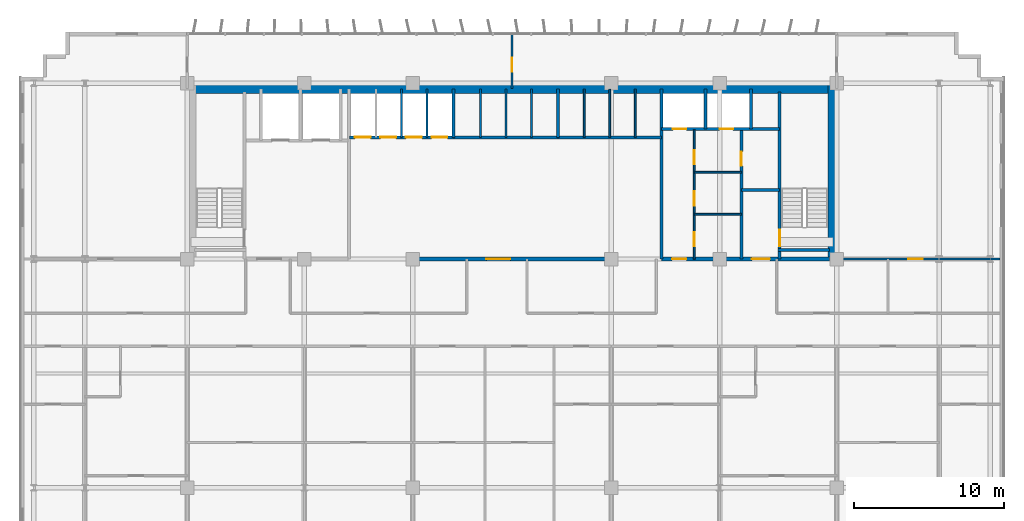
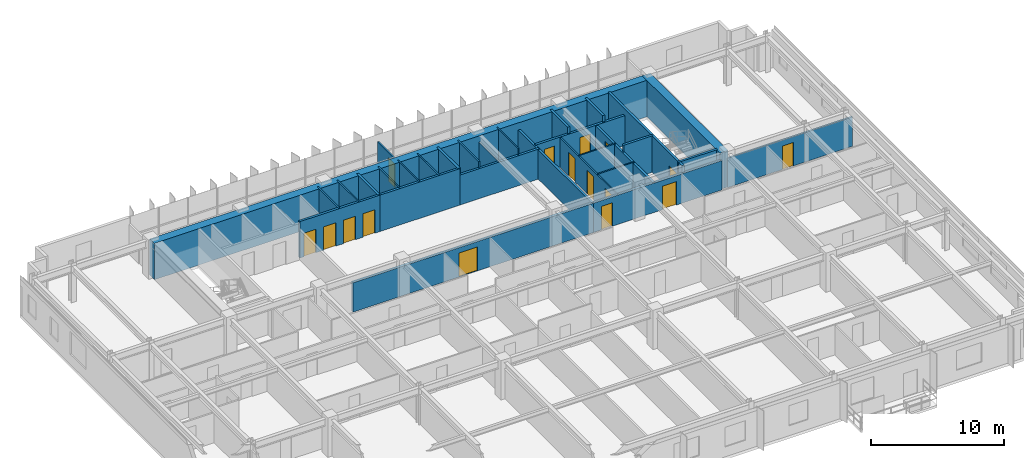
# One storey, part 18 of 22: 30 walls, 16 doors, 16 openings.
"""IFC4 building model written with IfcOpenShell, lengths in metres."""

from ifc_helpers import new_model, si_unit, direction, frame, frame_2d, origin, place, context, subcontext, project, spatial, rectangle, extrude, source, transform, mapped, material, layer, layer_set, type_object, element, fill, save


model = new_model("IFC4")

# Units and contexts
model_context = context("Model", 3, precision=1e-05, world=origin(), true_north=direction((0.0, 1.0)))
body_context = subcontext(model_context, "Body", "Model", "MODEL_VIEW")
ifc_project = project(units=[si_unit("LENGTHUNIT", "METRE"), si_unit("AREAUNIT", "SQUARE_METRE"), si_unit("VOLUMEUNIT", "CUBIC_METRE"), si_unit("PLANEANGLEUNIT", "RADIAN"), si_unit("MASSUNIT", "GRAM", prefix="KILO")], contexts=[model_context])

# Site, building, storey
site_placement = place(None, origin())
site = spatial("IfcSite", under=ifc_project, at=site_placement, CompositionType="ELEMENT")
building_placement = place(site_placement, origin())
building = spatial("IfcBuilding", under=site, at=building_placement, Name="Trelvane Seafront Commons", CompositionType="ELEMENT")
storey_placement = place(building_placement, frame((0.0, 0.0, 59.5)))
storey = spatial("IfcBuildingStorey", under=building, at=storey_placement, Name="L15", CompositionType="ELEMENT", Elevation=59.5)

# Wall, opening, door
ifc_material_1 = material(Name="Concrete C40/50", Category="concrete")
ifc_layer_1 = layer(ifc_material_1, 0.199951171875, Name="ARCH-WALL-FIRE200")
ifc_layer_set_1 = layer_set([ifc_layer_1], Name="Concrete C40/50")
wall_type_1 = type_object("IfcWallType", Name="ARCH-WALL-FIRE200", PredefinedType="PARTITIONING", material=ifc_layer_set_1)
wall_1_placement = place(storey_placement, frame((52.449951171875, 33.39990234375, 0.0), z_axis=(0.0, 0.0, 1.0), x_axis=(0.0, 1.0, 0.0)))
wall_1 = element("IfcWall", 1, at=wall_1_placement, inside=storey, type_object=wall_type_1, Name="W-L15-ST2V-W-033", PredefinedType="PARTITIONING", context=body_context, shape_type="SweptSolid", body=[
    extrude(rectangle(XDim=8.650146484375, YDim=0.199951171875, at=frame_2d((4.3251953125, 0.0))), origin(), (0.0, 0.0, 1.0), 2.68994140625),
])
opening_1_placement = place(wall_1_placement, frame((6.199951171875, 0.0, 0.0)))
opening_1 = element("IfcOpeningElement", 2, at=opening_1_placement, cuts=wall_1, Name="Opening FD-L15-13", PredefinedType="OPENING", context=body_context, shape_type="SweptSolid", body=[
    extrude(rectangle(XDim=0.949951171875, YDim=2.14990234375, at=frame_2d((0.47509765625, 1.074951171875))), frame((0.0, 0.10986328125, 0.0), z_axis=(0.0, -1.0, 0.0), x_axis=(1.0, 0.0, 0.0)), (0.0, 0.0, 1.0), 0.219970703125),
])
ifc_material_2 = material(Name="Powder-coated aluminium frame", Category="aluminium")
door_type_1 = type_object("IfcDoorType", Name="ARCH-DR-FD60-950", OperationType="NOTDEFINED", PredefinedType="DOOR", material=ifc_material_2)
shared_shape_1 = source(origin(), body_context, "Body", "SweptSolid", [
    extrude(rectangle(XDim=0.949951171875, YDim=2.14990234375, at=frame_2d((0.47509765625, 1.074951171875))), frame((0.0, 0.02490234375, 0.0), z_axis=(0.0, -1.0, 0.0), x_axis=(1.0, 0.0, 0.0)), (0.0, 0.0, 1.0), 0.050048828125),
])
door_1_placement = place(opening_1_placement, origin())
door_1 = element("IfcDoor", 3, at=door_1_placement, inside=storey, type_object=door_type_1, Name="L15 Cleaner Store Door", OperationType="SINGLE_SWING_LEFT", OverallHeight=2.14990234375, OverallWidth=0.949951171875, PredefinedType="DOOR", context=body_context, shape_type="MappedRepresentation", body=[
    mapped(shared_shape_1, transform((0.0, 0.0, 0.0), x_axis=(1.0, 0.0, 0.0), y_axis=(0.0, 1.0, 0.0), z_axis=(0.0, 0.0, 1.0), scale=1.0)),
])
fill(opening_1, door_1)

# Wall
wall_2_placement = place(storey_placement, frame((52.449951171875, 38.0, 0.0), z_axis=(0.0, 0.0, 1.0), x_axis=(1.0, 0.0, 0.0)))
element("IfcWall", 4, at=wall_2_placement, inside=storey, type_object=wall_type_1, Name="W-L15-ST2V-N-034", PredefinedType="PARTITIONING", context=body_context, shape_type="SweptSolid", body=[
    extrude(rectangle(XDim=2.550048828125, YDim=0.199951171875, at=frame_2d((1.27490234375, 0.0))), origin(), (0.0, 0.0, 1.0), 3.340087890625),
])

# Wall, opening, door
ifc_layer_2 = layer(ifc_material_1, 0.25, Name="ARCH-WALL-FIRE250")
ifc_layer_set_2 = layer_set([ifc_layer_2], Name="Concrete C40/50")
wall_type_2 = type_object("IfcWallType", Name="ARCH-WALL-FIRE250", PredefinedType="PARTITIONING", material=ifc_layer_set_2)
wall_3_placement = place(storey_placement, frame((26.300048828125, 33.39990234375, 0.0), z_axis=(0.0, 0.0, 1.0), x_axis=(1.0, 0.0, 0.0)))
wall_3 = element("IfcWall", 5, at=wall_3_placement, inside=storey, type_object=wall_type_2, Name="W-L15-CS-PAX-029", PredefinedType="PARTITIONING", context=body_context, shape_type="SweptSolid", body=[
    extrude(rectangle(XDim=20.849853515625, YDim=0.25, at=frame_2d((10.4248046875, 0.0))), origin(), (0.0, 0.0, 1.0), 2.68994140625),
])
opening_2_placement = place(wall_3_placement, frame((9.199951171875, 0.0, 0.0)))
opening_2 = element("IfcOpeningElement", 6, at=opening_2_placement, cuts=wall_3, Name="Opening FD-L15-10", PredefinedType="OPENING", context=body_context, shape_type="SweptSolid", body=[
    extrude(rectangle(XDim=1.60009765625, YDim=2.199951171875, at=frame_2d((0.800048828125, 1.10009765625))), frame((0.0, 0.135009765625, 0.0), z_axis=(0.0, -1.0, 0.0), x_axis=(1.0, 0.0, 0.0)), (0.0, 0.0, 1.0), 0.27001953125),
])
door_type_2 = type_object("IfcDoorType", Name="ARCH-DR-FD60-1600", OperationType="DOUBLE_DOOR_SINGLE_SWING", PredefinedType="DOOR", material=ifc_material_2)
shared_shape_2 = source(origin(), body_context, "Body", "SweptSolid", [
    extrude(rectangle(XDim=1.60009765625, YDim=2.199951171875, at=frame_2d((0.800048828125, 1.10009765625))), frame((0.0, 0.02490234375, 0.0), z_axis=(0.0, -1.0, 0.0), x_axis=(1.0, 0.0, 0.0)), (0.0, 0.0, 1.0), 0.050048828125),
])
door_2_placement = place(opening_2_placement, origin())
door_2 = element("IfcDoor", 7, at=door_2_placement, inside=storey, type_object=door_type_2, Name="L15 Passenger Lift Lobby Double Door", OperationType="DOUBLE_DOOR_SINGLE_SWING", OverallHeight=2.199951171875, OverallWidth=1.60009765625, PredefinedType="DOOR", context=body_context, shape_type="MappedRepresentation", body=[
    mapped(shared_shape_2, transform((0.0, 0.0, 0.0), x_axis=(1.0, 0.0, 0.0), y_axis=(0.0, 1.0, 0.0), z_axis=(0.0, 0.0, 1.0), scale=1.0)),
])
fill(opening_2, door_2)

# Wall, openings, doors
wall_4_placement = place(storey_placement, frame((47.14990234375, 33.39990234375, 0.0), z_axis=(0.0, 0.0, 1.0), x_axis=(1.0, 0.0, 0.0)))
wall_4 = element("IfcWall", 8, at=wall_4_placement, inside=storey, type_object=wall_type_2, Name="W-L15-CS-EAST-038", PredefinedType="PARTITIONING", context=body_context, shape_type="SweptSolid", body=[
    extrude(rectangle(XDim=11.150146484375, YDim=0.25, at=frame_2d((5.5751953125, 0.0))), origin(), (0.0, 0.0, 1.0), 2.68994140625),
])
opening_3_placement = place(wall_4_placement, frame((0.699951171875, 0.0, 0.0)))
opening_3 = element("IfcOpeningElement", 9, at=opening_3_placement, cuts=wall_4, Name="Opening FD-L15-17", PredefinedType="OPENING", context=body_context, shape_type="SweptSolid", body=[
    extrude(rectangle(XDim=0.949951171875, YDim=2.14990234375, at=frame_2d((0.47509765625, 1.074951171875))), frame((0.0, 0.135009765625, 0.0), z_axis=(0.0, -1.0, 0.0), x_axis=(1.0, 0.0, 0.0)), (0.0, 0.0, 1.0), 0.27001953125),
])
opening_4_placement = place(wall_4_placement, frame((6.0, 0.0, 0.0)))
opening_4 = element("IfcOpeningElement", 10, at=opening_4_placement, cuts=wall_4, Name="Opening FD-L15-18", PredefinedType="OPENING", context=body_context, shape_type="SweptSolid", body=[
    extrude(rectangle(XDim=1.199951171875, YDim=2.14990234375, at=frame_2d((0.60009765625, 1.074951171875))), frame((0.0, 0.135009765625, 0.0), z_axis=(0.0, -1.0, 0.0), x_axis=(1.0, 0.0, 0.0)), (0.0, 0.0, 1.0), 0.27001953125),
])
door_3_placement = place(opening_3_placement, origin())
door_3 = element("IfcDoor", 11, at=door_3_placement, inside=storey, type_object=door_type_1, Name="L15 Core Service Lobby Door", OperationType="SINGLE_SWING_LEFT", OverallHeight=2.14990234375, OverallWidth=0.949951171875, PredefinedType="DOOR", context=body_context, shape_type="MappedRepresentation", body=[
    mapped(shared_shape_1, transform((0.0, 0.0, 0.0), x_axis=(1.0, 0.0, 0.0), y_axis=(0.0, 1.0, 0.0), z_axis=(0.0, 0.0, 1.0), scale=1.0)),
])
fill(opening_3, door_3)
door_type_3 = type_object("IfcDoorType", Name="ARCH-DR-FD60-1200", OperationType="NOTDEFINED", PredefinedType="DOOR", material=ifc_material_2)
shared_shape_3 = source(origin(), body_context, "Body", "SweptSolid", [
    extrude(rectangle(XDim=1.199951171875, YDim=2.14990234375, at=frame_2d((0.60009765625, 1.074951171875))), frame((0.0, 0.02490234375, 0.0), z_axis=(0.0, -1.0, 0.0), x_axis=(1.0, 0.0, 0.0)), (0.0, 0.0, 1.0), 0.050048828125),
])
door_4_placement = place(opening_4_placement, origin())
door_4 = element("IfcDoor", 12, at=door_4_placement, inside=storey, type_object=door_type_3, Name="L15 East Stair Vestibule Fire Door", OperationType="SINGLE_SWING_RIGHT", OverallHeight=2.14990234375, OverallWidth=1.199951171875, PredefinedType="DOOR", context=body_context, shape_type="MappedRepresentation", body=[
    mapped(shared_shape_3, transform((0.0, 0.0, 0.0), x_axis=(1.0, 0.0, 0.0), y_axis=(0.0, 1.0, 0.0), z_axis=(0.0, 0.0, 1.0), scale=1.0)),
])
fill(opening_4, door_4)

# Walls
ifc_material_3 = material(Name="Gypsum Drywall Acoustic Partition")
ifc_layer_3 = layer(ifc_material_3, 0.1201171875, Name="ARCH-WALL-PART120")
ifc_layer_set_3 = layer_set([ifc_layer_3], Name="Gypsum Drywall Acoustic Partition")
wall_type_3 = type_object("IfcWallType", Name="ARCH-WALL-PART120", PredefinedType="PARTITIONING", material=ifc_layer_set_3)
for number, where, z_axis, x_axis, name in (
    (13, (29.85009765625, 41.5, 0.0), (0.0, 0.0, 1.0), (0.0, 1.0, 0.0), "W-L15-PL-DIV2-017"),
    (14, (31.550048828125, 41.5, 0.0), (0.0, 0.0, 1.0), (0.0, 1.0, 0.0), "W-L15-PL-DIV3-018"),
    (15, (35.10009765625, 41.5, 0.0), (0.0, 0.0, 1.0), (0.0, 1.0, 0.0), "W-L15-PM-DIV1-020"),
    (16, (36.800048828125, 41.5, 0.0), (0.0, 0.0, 1.0), (0.0, 1.0, 0.0), "W-L15-PM-DIV2-021"),
    (17, (38.5, 41.5, 0.0), (0.0, 0.0, 1.0), (0.0, 1.0, 0.0), "W-L15-PM-DIV3-022"),
    (18, (42.0, 41.5, 0.0), (0.0, 0.0, 1.0), (0.0, 1.0, 0.0), "W-L15-PH-DIV1-025"),
):
    element("IfcWall", number, at=place(storey_placement, frame(where, z_axis=z_axis, x_axis=x_axis)), inside=storey, type_object=wall_type_3, Name=name, PredefinedType="PARTITIONING", context=body_context, shape_type="SweptSolid", body=[
        extrude(rectangle(XDim=3.199951171875, YDim=0.1201171875, at=frame_2d((1.60009765625, 0.0))), origin(), (0.0, 0.0, 1.0), 3.340087890625),
    ])
wall_5_placement = place(storey_placement, frame((43.699951171875, 41.5, 0.0), z_axis=(0.0, 0.0, 1.0), x_axis=(0.0, 1.0, 0.0)))
element("IfcWall", 19, at=wall_5_placement, inside=storey, type_object=wall_type_3, Name="W-L15-PH-DIV2-026", PredefinedType="PARTITIONING", context=body_context, shape_type="SweptSolid", body=[
    extrude(rectangle(XDim=3.199951171875, YDim=0.1201171875, at=frame_2d((1.60009765625, 0.0))), origin(), (0.0, 0.0, 1.0), 2.751953125),
])
wall_6_placement = place(storey_placement, frame((45.39990234375, 41.5, 0.0), z_axis=(0.0, 0.0, 1.0), x_axis=(0.0, 1.0, 0.0)))
element("IfcWall", 20, at=wall_6_placement, inside=storey, type_object=wall_type_3, Name="W-L15-PH-DIV3-027", PredefinedType="PARTITIONING", context=body_context, shape_type="SweptSolid", body=[
    extrude(rectangle(XDim=3.199951171875, YDim=0.1201171875, at=frame_2d((1.60009765625, 0.0))), origin(), (0.0, 0.0, 1.0), 3.340087890625),
])

# Wall, openings, doors
wall_7_placement = place(storey_placement, frame((49.320068359375, 33.39990234375, 0.0), z_axis=(0.0, 0.0, 1.0), x_axis=(0.0, 1.0, 0.0)))
wall_7 = element("IfcWall", 21, at=wall_7_placement, inside=storey, type_object=wall_type_3, Name="W-L15-CYC3-V-035", PredefinedType="PARTITIONING", context=body_context, shape_type="SweptSolid", body=[
    extrude(rectangle(XDim=8.60009765625, YDim=0.1201171875, at=frame_2d((4.300048828125, 0.0))), origin(), (0.0, 0.0, 1.0), 2.68994140625),
])
opening_5_placement = place(wall_7_placement, frame((0.85009765625, 0.0, 0.0)))
opening_5 = element("IfcOpeningElement", 22, at=opening_5_placement, cuts=wall_7, Name="Opening D-L15-14", PredefinedType="OPENING", context=body_context, shape_type="SweptSolid", body=[
    extrude(rectangle(XDim=0.949951171875, YDim=2.14990234375, at=frame_2d((0.47509765625, 1.074951171875))), frame((0.0, 0.070068359375, 0.0), z_axis=(0.0, -1.0, 0.0), x_axis=(1.0, 0.0, 0.0)), (0.0, 0.0, 1.0), 0.14013671875),
])
opening_6_placement = place(wall_7_placement, frame((3.550048828125, 0.0, 0.0)))
opening_6 = element("IfcOpeningElement", 23, at=opening_6_placement, cuts=wall_7, Name="Opening D-L15-15", PredefinedType="OPENING", context=body_context, shape_type="SweptSolid", body=[
    extrude(rectangle(XDim=0.949951171875, YDim=2.14990234375, at=frame_2d((0.47509765625, 1.074951171875))), frame((0.0, 0.070068359375, 0.0), z_axis=(0.0, -1.0, 0.0), x_axis=(1.0, 0.0, 0.0)), (0.0, 0.0, 1.0), 0.14013671875),
])
opening_7_placement = place(wall_7_placement, frame((6.300048828125, 0.0, 0.0)))
opening_7 = element("IfcOpeningElement", 24, at=opening_7_placement, cuts=wall_7, Name="Opening D-L15-16", PredefinedType="OPENING", context=body_context, shape_type="SweptSolid", body=[
    extrude(rectangle(XDim=0.949951171875, YDim=2.14990234375, at=frame_2d((0.47509765625, 1.074951171875))), frame((0.0, 0.070068359375, 0.0), z_axis=(0.0, -1.0, 0.0), x_axis=(1.0, 0.0, 0.0)), (0.0, 0.0, 1.0), 0.14013671875),
])
ifc_material_4 = material(Name="Acoustic timber door leaf", Category="wood")
door_type_4 = type_object("IfcDoorType", Name="ARCH-DR-INT950", OperationType="NOTDEFINED", PredefinedType="DOOR", material=ifc_material_4)
door_5_placement = place(opening_5_placement, origin())
door_5 = element("IfcDoor", 25, at=door_5_placement, inside=storey, type_object=door_type_4, Name="L15 Accessible WC Door", OperationType="SINGLE_SWING_RIGHT", OverallHeight=2.14990234375, OverallWidth=0.949951171875, PredefinedType="DOOR", context=body_context, shape_type="MappedRepresentation", body=[
    mapped(shared_shape_1, transform((0.0, 0.0, 0.0), x_axis=(1.0, 0.0, 0.0), y_axis=(0.0, 1.0, 0.0), z_axis=(0.0, 0.0, 1.0), scale=1.0)),
])
fill(opening_5, door_5)
door_6_placement = place(opening_6_placement, origin())
door_6 = element("IfcDoor", 26, at=door_6_placement, inside=storey, type_object=door_type_4, Name="L15 Staff WC Door", OperationType="SINGLE_SWING_LEFT", OverallHeight=2.14990234375, OverallWidth=0.949951171875, PredefinedType="DOOR", context=body_context, shape_type="MappedRepresentation", body=[
    mapped(shared_shape_1, transform((0.0, 0.0, 0.0), x_axis=(1.0, 0.0, 0.0), y_axis=(0.0, 1.0, 0.0), z_axis=(0.0, 0.0, 1.0), scale=1.0)),
])
fill(opening_6, door_6)
door_7_placement = place(opening_7_placement, origin())
door_7 = element("IfcDoor", 27, at=door_7_placement, inside=storey, type_object=door_type_4, Name="L15 Electrical Room Door", OperationType="SINGLE_SWING_RIGHT", OverallHeight=2.14990234375, OverallWidth=0.949951171875, PredefinedType="DOOR", context=body_context, shape_type="MappedRepresentation", body=[
    mapped(shared_shape_1, transform((0.0, 0.0, 0.0), x_axis=(1.0, 0.0, 0.0), y_axis=(0.0, 1.0, 0.0), z_axis=(0.0, 0.0, 1.0), scale=1.0)),
])
fill(opening_7, door_7)

# Walls
for number, where, z_axis, x_axis, name in (
    (28, (49.320068359375, 36.3798828125, 0.0), (0.0, 0.0, 1.0), (1.0, 0.0, 0.0), "W-L15-CYC3-H1-036"),
    (29, (49.320068359375, 39.179931640625, 0.0), (0.0, 0.0, 1.0), (1.0, 0.0, 0.0), "W-L15-CYC3-H2-037"),
):
    element("IfcWall", number, at=place(storey_placement, frame(where, z_axis=z_axis, x_axis=x_axis)), inside=storey, type_object=wall_type_3, Name=name, PredefinedType="PARTITIONING", context=body_context, shape_type="SweptSolid", body=[
        extrude(rectangle(XDim=3.1298828125, YDim=0.1201171875, at=frame_2d((1.56494140625, 0.0))), origin(), (0.0, 0.0, 1.0), 2.751953125),
    ])

# Wall, opening, door
wall_8_placement = place(storey_placement, frame((37.199951171875, 44.75, 0.0), z_axis=(0.0, 0.0, 1.0), x_axis=(0.0, 1.0, 0.0)))
wall_8 = element("IfcWall", 30, at=wall_8_placement, inside=storey, type_object=wall_type_3, Name="W-L15-N-MID-DV-052", PredefinedType="PARTITIONING", context=body_context, shape_type="SweptSolid", body=[
    extrude(rectangle(XDim=3.610107421875, YDim=0.1201171875, at=frame_2d((1.80517578125, 0.0))), origin(), (0.0, 0.0, 1.0), 2.68994140625),
])
opening_8_placement = place(wall_8_placement, frame((1.10009765625, 0.0, 0.0)))
opening_8 = element("IfcOpeningElement", 31, at=opening_8_placement, cuts=wall_8, Name="Opening D-L15-26", PredefinedType="OPENING", context=body_context, shape_type="SweptSolid", body=[
    extrude(rectangle(XDim=0.949951171875, YDim=2.14990234375, at=frame_2d((0.47509765625, 1.074951171875))), frame((0.0, 0.070068359375, 0.0), z_axis=(0.0, -1.0, 0.0), x_axis=(1.0, 0.0, 0.0)), (0.0, 0.0, 1.0), 0.14013671875),
])
door_8_placement = place(opening_8_placement, origin())
door_8 = element("IfcDoor", 32, at=door_8_placement, inside=storey, type_object=door_type_4, Name="L15 Door 26", OperationType="SINGLE_SWING_RIGHT", OverallHeight=2.14990234375, OverallWidth=0.949951171875, PredefinedType="DOOR", context=body_context, shape_type="MappedRepresentation", body=[
    mapped(shared_shape_1, transform((0.0, 0.0, 0.0), x_axis=(1.0, 0.0, 0.0), y_axis=(0.0, 1.0, 0.0), z_axis=(0.0, 0.0, 1.0), scale=1.0)),
])
fill(opening_8, door_8)

ifc_layer_4 = layer(ifc_material_3, 0.14990234375, Name="ARCH-WALL-PART150")
ifc_layer_set_4 = layer_set([ifc_layer_4], Name="Gypsum Drywall Acoustic Partition")
wall_type_4 = type_object("IfcWallType", Name="ARCH-WALL-PART150", PredefinedType="PARTITIONING", material=ifc_layer_set_4)
wall_9_placement = place(storey_placement, frame((58.800048828125, 33.39990234375, 0.0), z_axis=(0.0, 0.0, 1.0), x_axis=(1.0, 0.0, 0.0)))
wall_9 = element("IfcWall", 33, at=wall_9_placement, inside=storey, type_object=wall_type_4, Name="W-L15-NE-ENT-051", PredefinedType="PARTITIONING", context=body_context, shape_type="SweptSolid", body=[
    extrude(rectangle(XDim=10.849853515625, YDim=0.14990234375, at=frame_2d((5.4248046875, 0.0))), origin(), (0.0, 0.0, 1.0), 2.68994140625),
])
opening_9_placement = place(wall_9_placement, frame((4.760009765625, 0.0, 0.0)))
opening_9 = element("IfcOpeningElement", 34, at=opening_9_placement, cuts=wall_9, Name="Opening FD-L15-25", PredefinedType="OPENING", context=body_context, shape_type="SweptSolid", body=[
    extrude(rectangle(XDim=0.949951171875, YDim=2.14990234375, at=frame_2d((0.47509765625, 1.074951171875))), frame((0.0, 0.0849609375, 0.0), z_axis=(0.0, -1.0, 0.0), x_axis=(1.0, 0.0, 0.0)), (0.0, 0.0, 1.0), 0.169921875),
])
door_9_placement = place(opening_9_placement, origin())
door_9 = element("IfcDoor", 35, at=door_9_placement, inside=storey, type_object=door_type_1, Name="L15 NE Suite Entrance Door", OperationType="SINGLE_SWING_LEFT", OverallHeight=2.14990234375, OverallWidth=0.949951171875, PredefinedType="DOOR", context=body_context, shape_type="MappedRepresentation", body=[
    mapped(shared_shape_1, transform((0.0, 0.0, 0.0), x_axis=(1.0, 0.0, 0.0), y_axis=(0.0, 1.0, 0.0), z_axis=(0.0, 0.0, 1.0), scale=1.0)),
])
fill(opening_9, door_9)

# Wall, openings, doors
ifc_layer_5 = layer(ifc_material_1, 0.199951171875, Name="ARCH-WALL-SHAFT200")
ifc_layer_set_5 = layer_set([ifc_layer_5], Name="Concrete C40/50")
wall_type_5 = type_object("IfcWallType", Name="ARCH-WALL-SHAFT200", PredefinedType="SOLIDWALL", material=ifc_layer_set_5)
wall_10_placement = place(storey_placement, frame((26.39990234375, 41.5, 0.0), z_axis=(0.0, 0.0, 1.0), x_axis=(1.0, 0.0, 0.0)))
wall_10 = element("IfcWall", 36, at=wall_10_placement, inside=storey, type_object=wall_type_5, Name="W-L15-PL-FRONT-014", PredefinedType="SOLIDWALL", context=body_context, shape_type="SweptSolid", body=[
    extrude(rectangle(XDim=6.9501953125, YDim=0.199951171875, at=frame_2d((3.47509765625, 0.0))), origin(), (0.0, 0.0, 1.0), 3.340087890625),
])
opening_10_placement = place(wall_10_placement, frame((0.35009765625, 0.0, 0.0)))
opening_10 = element("IfcOpeningElement", 37, at=opening_10_placement, cuts=wall_10, Name="Opening LD-PL1-L15", PredefinedType="OPENING", context=body_context, shape_type="SweptSolid", body=[
    extrude(rectangle(XDim=1.050048828125, YDim=2.14990234375, at=frame_2d((0.52490234375, 1.074951171875))), frame((0.0, 0.10986328125, 0.0), z_axis=(0.0, -1.0, 0.0), x_axis=(1.0, 0.0, 0.0)), (0.0, 0.0, 1.0), 0.219970703125),
])
opening_11_placement = place(wall_10_placement, frame((2.050048828125, 0.0, 0.0)))
opening_11 = element("IfcOpeningElement", 38, at=opening_11_placement, cuts=wall_10, Name="Opening LD-PL2-L15", PredefinedType="OPENING", context=body_context, shape_type="SweptSolid", body=[
    extrude(rectangle(XDim=1.050048828125, YDim=2.14990234375, at=frame_2d((0.52490234375, 1.074951171875))), frame((0.0, 0.10986328125, 0.0), z_axis=(0.0, -1.0, 0.0), x_axis=(1.0, 0.0, 0.0)), (0.0, 0.0, 1.0), 0.219970703125),
])
opening_12_placement = place(wall_10_placement, frame((3.75, 0.0, 0.0)))
opening_12 = element("IfcOpeningElement", 39, at=opening_12_placement, cuts=wall_10, Name="Opening LD-PL3-L15", PredefinedType="OPENING", context=body_context, shape_type="SweptSolid", body=[
    extrude(rectangle(XDim=1.050048828125, YDim=2.14990234375, at=frame_2d((0.52490234375, 1.074951171875))), frame((0.0, 0.10986328125, 0.0), z_axis=(0.0, -1.0, 0.0), x_axis=(1.0, 0.0, 0.0)), (0.0, 0.0, 1.0), 0.219970703125),
])
opening_13_placement = place(wall_10_placement, frame((5.449951171875, 0.0, 0.0)))
opening_13 = element("IfcOpeningElement", 40, at=opening_13_placement, cuts=wall_10, Name="Opening LD-PL4-L15", PredefinedType="OPENING", context=body_context, shape_type="SweptSolid", body=[
    extrude(rectangle(XDim=1.050048828125, YDim=2.14990234375, at=frame_2d((0.52490234375, 1.074951171875))), frame((0.0, 0.10986328125, 0.0), z_axis=(0.0, -1.0, 0.0), x_axis=(1.0, 0.0, 0.0)), (0.0, 0.0, 1.0), 0.219970703125),
])
ifc_material_5 = material(Name="Stainless steel balustrade", Category="steel")
door_type_5 = type_object("IfcDoorType", Name="ARCH-DR-LD1050", OperationType="DOUBLE_DOOR_SLIDING", PredefinedType="DOOR", material=ifc_material_5)
shared_shape_4 = source(origin(), body_context, "Body", "SweptSolid", [
    extrude(rectangle(XDim=1.050048828125, YDim=2.14990234375, at=frame_2d((0.52490234375, 1.074951171875))), frame((0.0, 0.02490234375, 0.0), z_axis=(0.0, -1.0, 0.0), x_axis=(1.0, 0.0, 0.0)), (0.0, 0.0, 1.0), 0.050048828125),
])
door_10_placement = place(opening_10_placement, origin())
door_10 = element("IfcDoor", 41, at=door_10_placement, inside=storey, type_object=door_type_5, Name="L15 Passenger Lift PL-1 Landing Door", OperationType="DOUBLE_DOOR_SLIDING", OverallHeight=2.14990234375, OverallWidth=1.050048828125, PredefinedType="DOOR", context=body_context, shape_type="MappedRepresentation", body=[
    mapped(shared_shape_4, transform((0.0, 0.0, 0.0), x_axis=(1.0, 0.0, 0.0), y_axis=(0.0, 1.0, 0.0), z_axis=(0.0, 0.0, 1.0), scale=1.0)),
])
fill(opening_10, door_10)
door_11_placement = place(opening_11_placement, origin())
door_11 = element("IfcDoor", 42, at=door_11_placement, inside=storey, type_object=door_type_5, Name="L15 Passenger Lift PL-2 Landing Door", OperationType="DOUBLE_DOOR_SLIDING", OverallHeight=2.14990234375, OverallWidth=1.050048828125, PredefinedType="DOOR", context=body_context, shape_type="MappedRepresentation", body=[
    mapped(shared_shape_4, transform((0.0, 0.0, 0.0), x_axis=(1.0, 0.0, 0.0), y_axis=(0.0, 1.0, 0.0), z_axis=(0.0, 0.0, 1.0), scale=1.0)),
])
fill(opening_11, door_11)
door_12_placement = place(opening_12_placement, origin())
door_12 = element("IfcDoor", 43, at=door_12_placement, inside=storey, type_object=door_type_5, Name="L15 Passenger Lift PL-3 Landing Door", OperationType="DOUBLE_DOOR_SLIDING", OverallHeight=2.14990234375, OverallWidth=1.050048828125, PredefinedType="DOOR", context=body_context, shape_type="MappedRepresentation", body=[
    mapped(shared_shape_4, transform((0.0, 0.0, 0.0), x_axis=(1.0, 0.0, 0.0), y_axis=(0.0, 1.0, 0.0), z_axis=(0.0, 0.0, 1.0), scale=1.0)),
])
fill(opening_12, door_12)
door_13_placement = place(opening_13_placement, origin())
door_13 = element("IfcDoor", 44, at=door_13_placement, inside=storey, type_object=door_type_5, Name="L15 Passenger Lift PL-4 Landing Door", OperationType="DOUBLE_DOOR_SLIDING", OverallHeight=2.14990234375, OverallWidth=1.050048828125, PredefinedType="DOOR", context=body_context, shape_type="MappedRepresentation", body=[
    mapped(shared_shape_4, transform((0.0, 0.0, 0.0), x_axis=(1.0, 0.0, 0.0), y_axis=(0.0, 1.0, 0.0), z_axis=(0.0, 0.0, 1.0), scale=1.0)),
])
fill(opening_13, door_13)

# Walls
wall_11_placement = place(storey_placement, frame((33.300048828125, 41.5, 0.0), z_axis=(0.0, 0.0, 1.0), x_axis=(0.0, 1.0, 0.0)))
element("IfcWall", 45, at=wall_11_placement, inside=storey, type_object=wall_type_5, Name="W-L15-PL-EAST-SH-015", PredefinedType="SOLIDWALL", context=body_context, shape_type="SweptSolid", body=[
    extrude(rectangle(XDim=3.199951171875, YDim=0.199951171875, at=frame_2d((1.60009765625, 0.0))), origin(), (0.0, 0.0, 1.0), 3.340087890625),
])
wall_12_placement = place(storey_placement, frame((33.35009765625, 41.5, 0.0), z_axis=(0.0, 0.0, 1.0), x_axis=(1.0, 0.0, 0.0)))
element("IfcWall", 46, at=wall_12_placement, inside=storey, type_object=wall_type_5, Name="W-L15-PM-FRONT-019", PredefinedType="SOLIDWALL", context=body_context, shape_type="SweptSolid", body=[
    extrude(rectangle(XDim=6.89990234375, YDim=0.199951171875, at=frame_2d((3.449951171875, 0.0))), origin(), (0.0, 0.0, 1.0), 3.340087890625),
])
wall_13_placement = place(storey_placement, frame((40.25, 41.5, 0.0), z_axis=(0.0, 0.0, 1.0), x_axis=(1.0, 0.0, 0.0)))
element("IfcWall", 47, at=wall_13_placement, inside=storey, type_object=wall_type_5, Name="W-L15-PH-FRONT-023", PredefinedType="SOLIDWALL", context=body_context, shape_type="SweptSolid", body=[
    extrude(rectangle(XDim=6.89990234375, YDim=0.199951171875, at=frame_2d((3.449951171875, 0.0))), origin(), (0.0, 0.0, 1.0), 2.751953125),
])
wall_14_placement = place(storey_placement, frame((40.25, 41.5, 0.0), z_axis=(0.0, 0.0, 1.0), x_axis=(0.0, 1.0, 0.0)))
element("IfcWall", 48, at=wall_14_placement, inside=storey, type_object=wall_type_5, Name="W-L15-PH-WEST-SH-024", PredefinedType="SOLIDWALL", context=body_context, shape_type="SweptSolid", body=[
    extrude(rectangle(XDim=3.199951171875, YDim=0.199951171875, at=frame_2d((1.60009765625, 0.0))), origin(), (0.0, 0.0, 1.0), 3.340087890625),
])
wall_15_placement = place(storey_placement, frame((47.14990234375, 33.39990234375, 0.0), z_axis=(0.0, 0.0, 1.0), x_axis=(0.0, 1.0, 0.0)))
element("IfcWall", 49, at=wall_15_placement, inside=storey, type_object=wall_type_5, Name="W-L15-PH-EAST-028", PredefinedType="SOLIDWALL", context=body_context, shape_type="SweptSolid", body=[
    extrude(rectangle(XDim=11.300048828125, YDim=0.199951171875, at=frame_2d((5.64990234375, 0.0))), origin(), (0.0, 0.0, 1.0), 2.68994140625),
])

# Wall, openings, doors
wall_16_placement = place(storey_placement, frame((47.14990234375, 42.050048828125, 0.0), z_axis=(0.0, 0.0, 1.0), x_axis=(1.0, 0.0, 0.0)))
wall_16 = element("IfcWall", 50, at=wall_16_placement, inside=storey, type_object=wall_type_5, Name="W-L15-RSR-S-030", PredefinedType="SOLIDWALL", context=body_context, shape_type="SweptSolid", body=[
    extrude(rectangle(XDim=7.85009765625, YDim=0.199951171875, at=frame_2d((3.925048828125, 0.0))), origin(), (0.0, 0.0, 1.0), 2.751953125),
])
opening_14_placement = place(wall_16_placement, frame((0.75, 0.0, 0.0)))
opening_14 = element("IfcOpeningElement", 51, at=opening_14_placement, cuts=wall_16, Name="Opening FD-L15-11", PredefinedType="OPENING", context=body_context, shape_type="SweptSolid", body=[
    extrude(rectangle(XDim=0.89990234375, YDim=2.10009765625, at=frame_2d((0.449951171875, 1.050048828125))), frame((0.0, 0.10986328125, 0.0), z_axis=(0.0, -1.0, 0.0), x_axis=(1.0, 0.0, 0.0)), (0.0, 0.0, 1.0), 0.219970703125),
])
opening_15_placement = place(wall_16_placement, frame((3.85009765625, 0.0, 0.0)))
opening_15 = element("IfcOpeningElement", 52, at=opening_15_placement, cuts=wall_16, Name="Opening FD-L15-12", PredefinedType="OPENING", context=body_context, shape_type="SweptSolid", body=[
    extrude(rectangle(XDim=0.89990234375, YDim=2.10009765625, at=frame_2d((0.449951171875, 1.050048828125))), frame((0.0, 0.10986328125, 0.0), z_axis=(0.0, -1.0, 0.0), x_axis=(1.0, 0.0, 0.0)), (0.0, 0.0, 1.0), 0.219970703125),
])
door_type_6 = type_object("IfcDoorType", Name="ARCH-DR-FD60-900", OperationType="NOTDEFINED", PredefinedType="DOOR", material=ifc_material_2)
shared_shape_5 = source(origin(), body_context, "Body", "SweptSolid", [
    extrude(rectangle(XDim=0.89990234375, YDim=2.10009765625, at=frame_2d((0.449951171875, 1.050048828125))), frame((0.0, 0.02490234375, 0.0), z_axis=(0.0, -1.0, 0.0), x_axis=(1.0, 0.0, 0.0)), (0.0, 0.0, 1.0), 0.050048828125),
])
door_14_placement = place(opening_14_placement, origin())
door_14 = element("IfcDoor", 53, at=door_14_placement, inside=storey, type_object=door_type_6, Name="L15 Electrical Riser Access Door", OperationType="SINGLE_SWING_LEFT", OverallHeight=2.10009765625, OverallWidth=0.89990234375, PredefinedType="DOOR", context=body_context, shape_type="MappedRepresentation", body=[
    mapped(shared_shape_5, transform((0.0, 0.0, 0.0), x_axis=(1.0, 0.0, 0.0), y_axis=(0.0, 1.0, 0.0), z_axis=(0.0, 0.0, 1.0), scale=1.0)),
])
fill(opening_14, door_14)
door_15_placement = place(opening_15_placement, origin())
door_15 = element("IfcDoor", 54, at=door_15_placement, inside=storey, type_object=door_type_6, Name="L15 Mechanical Riser Access Door", OperationType="SINGLE_SWING_RIGHT", OverallHeight=2.10009765625, OverallWidth=0.89990234375, PredefinedType="DOOR", context=body_context, shape_type="MappedRepresentation", body=[
    mapped(shared_shape_5, transform((0.0, 0.0, 0.0), x_axis=(1.0, 0.0, 0.0), y_axis=(0.0, 1.0, 0.0), z_axis=(0.0, 0.0, 1.0), scale=1.0)),
])
fill(opening_15, door_15)

# Walls
for number, where, z_axis, x_axis, name in (
    (55, (50.080078125, 42.050048828125, 0.0), (0.0, 0.0, 1.0), (0.0, 1.0, 0.0), "W-L15-RSR-DIV-031"),
    (56, (53.10009765625, 42.050048828125, 0.0), (0.0, 0.0, 1.0), (0.0, 1.0, 0.0), "W-L15-RSR-E-032"),
):
    element("IfcWall", number, at=place(storey_placement, frame(where, z_axis=z_axis, x_axis=x_axis)), inside=storey, type_object=wall_type_5, Name=name, PredefinedType="SOLIDWALL", context=body_context, shape_type="SweptSolid", body=[
        extrude(rectangle(XDim=2.64990234375, YDim=0.199951171875, at=frame_2d((1.324951171875, 0.0))), origin(), (0.0, 0.0, 1.0), 3.340087890625),
    ])
ifc_material_6 = material(Name="Concrete C60/75", Category="concrete")
ifc_layer_6 = layer(ifc_material_6, 0.699951171875, Name="STR-WALL-CORE700")
ifc_layer_set_6 = layer_set([ifc_layer_6], Name="Concrete C60/75")
wall_type_6 = type_object("IfcWallType", Name="STR-WALL-CORE700", PredefinedType="SHEAR", material=ifc_layer_set_6)
wall_17_placement = place(storey_placement, frame((15.5, 44.75, 0.0), z_axis=(0.0, 0.0, 1.0), x_axis=(1.0, 0.0, 0.0)))
element("IfcWall", 57, at=wall_17_placement, inside=storey, type_object=wall_type_6, Name="W-L15-CN-ALL-001", PredefinedType="SHEAR", context=body_context, shape_type="SweptSolid", body=[
    extrude(rectangle(XDim=43.39990234375, YDim=0.699951171875, at=frame_2d((21.699951171875, 0.0))), origin(), (0.0, 0.0, 1.0), 3.340087890625),
])
wall_18_placement = place(storey_placement, frame((58.550048828125, 33.39990234375, 0.0), z_axis=(0.0, 0.0, 1.0), x_axis=(0.0, 1.0, 0.0)))
element("IfcWall", 58, at=wall_18_placement, inside=storey, type_object=wall_type_6, Name="W-L15-CE-END-003", PredefinedType="SHEAR", context=body_context, shape_type="SweptSolid", body=[
    extrude(rectangle(XDim=11.7001953125, YDim=0.699951171875, at=frame_2d((5.85009765625, 0.0))), origin(), (0.0, 0.0, 1.0), 3.340087890625),
])
ifc_material_7 = material(Name="Concrete C50/60", Category="concrete")
ifc_layer_7 = layer(ifc_material_7, 0.199951171875, Name="STR-WALL-STAIR200")
ifc_layer_set_7 = layer_set([ifc_layer_7], Name="Concrete C50/60")
wall_type_7 = type_object("IfcWallType", Name="STR-WALL-STAIR200", PredefinedType="SHEAR", material=ifc_layer_set_7)
wall_19_placement = place(storey_placement, frame((54.89990234375, 34.0, 0.0), z_axis=(0.0, 0.0, 1.0), x_axis=(1.0, 0.0, 0.0)))
element("IfcWall", 59, at=wall_19_placement, inside=storey, type_object=wall_type_7, Name="W-L15-ST2-S-006", PredefinedType="SHEAR", context=body_context, shape_type="SweptSolid", body=[
    extrude(rectangle(XDim=3.400146484375, YDim=0.199951171875, at=frame_2d((1.7001953125, 0.0))), origin(), (0.0, 0.0, 1.0), 3.340087890625),
])

# Wall, opening, door
wall_20_placement = place(storey_placement, frame((55.0, 33.39990234375, 0.0), z_axis=(0.0, 0.0, 1.0), x_axis=(0.0, 1.0, 0.0)))
wall_20 = element("IfcWall", 60, at=wall_20_placement, inside=storey, type_object=wall_type_7, Name="W-L15-ST2-W-007", PredefinedType="SHEAR", context=body_context, shape_type="SweptSolid", body=[
    extrude(rectangle(XDim=11.10009765625, YDim=0.199951171875, at=frame_2d((5.550048828125, 0.0))), origin(), (0.0, 0.0, 1.0), 3.340087890625),
])
opening_16_placement = place(wall_20_placement, frame((0.85009765625, 0.0, 0.0)))
opening_16 = element("IfcOpeningElement", 61, at=opening_16_placement, cuts=wall_20, Name="Opening ST-D2-L15", PredefinedType="OPENING", context=body_context, shape_type="SweptSolid", body=[
    extrude(rectangle(XDim=1.10009765625, YDim=2.14990234375, at=frame_2d((0.550048828125, 1.074951171875))), frame((0.0, 0.10986328125, 0.0), z_axis=(0.0, -1.0, 0.0), x_axis=(1.0, 0.0, 0.0)), (0.0, 0.0, 1.0), 0.219970703125),
])
door_type_7 = type_object("IfcDoorType", Name="ARCH-DR-FD90-1100", OperationType="NOTDEFINED", PredefinedType="DOOR", material=ifc_material_2)
shared_shape_6 = source(origin(), body_context, "Body", "SweptSolid", [
    extrude(rectangle(XDim=1.10009765625, YDim=2.14990234375, at=frame_2d((0.550048828125, 1.074951171875))), frame((0.0, 0.02490234375, 0.0), z_axis=(0.0, -1.0, 0.0), x_axis=(1.0, 0.0, 0.0)), (0.0, 0.0, 1.0), 0.050048828125),
])
door_16_placement = place(opening_16_placement, origin())
door_16 = element("IfcDoor", 62, at=door_16_placement, inside=storey, type_object=door_type_7, Name="L15 Stair ST-2 Vestibule Fire Door", OperationType="SINGLE_SWING_RIGHT", OverallHeight=2.14990234375, OverallWidth=1.10009765625, PredefinedType="DOOR", context=body_context, shape_type="MappedRepresentation", body=[
    mapped(shared_shape_6, transform((0.0, 0.0, 0.0), x_axis=(1.0, 0.0, 0.0), y_axis=(0.0, 1.0, 0.0), z_axis=(0.0, 0.0, 1.0), scale=1.0)),
])
fill(opening_16, door_16)

save(model, "model.ifc")
